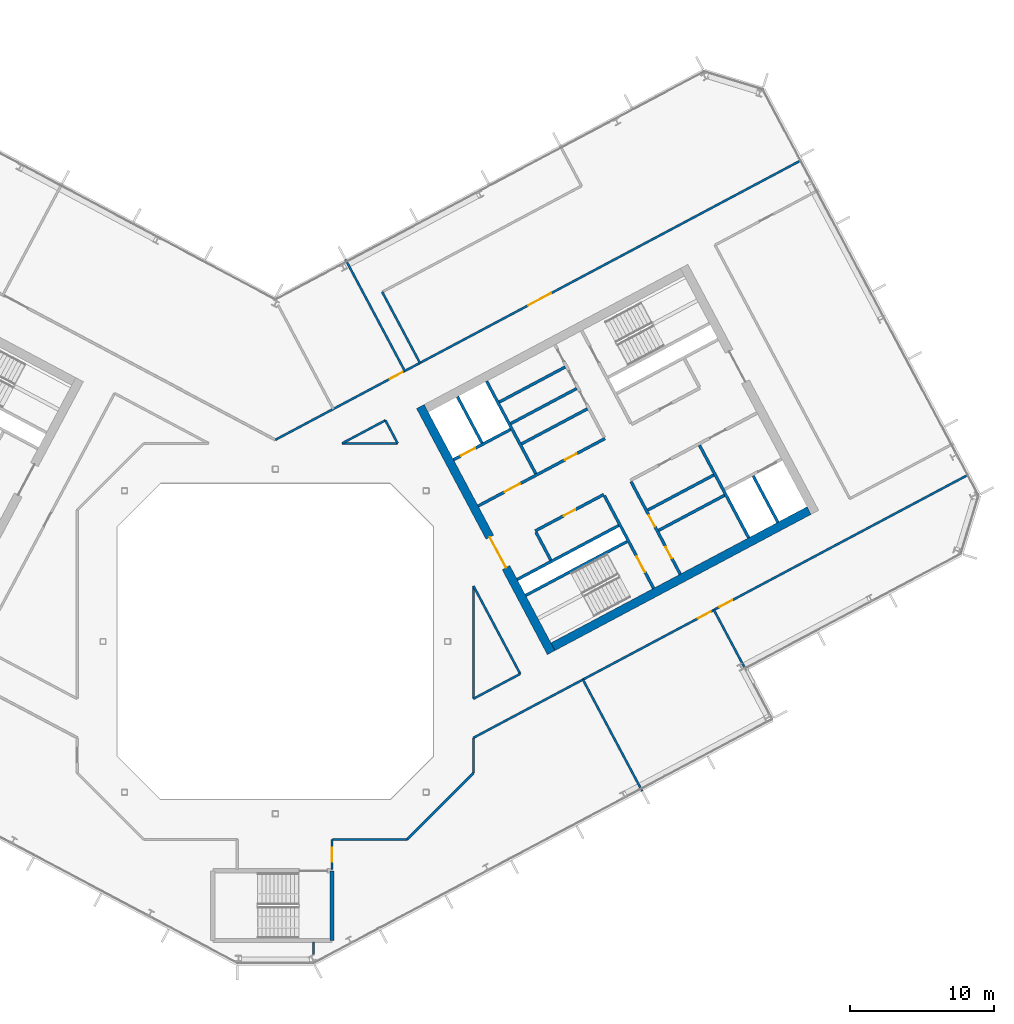
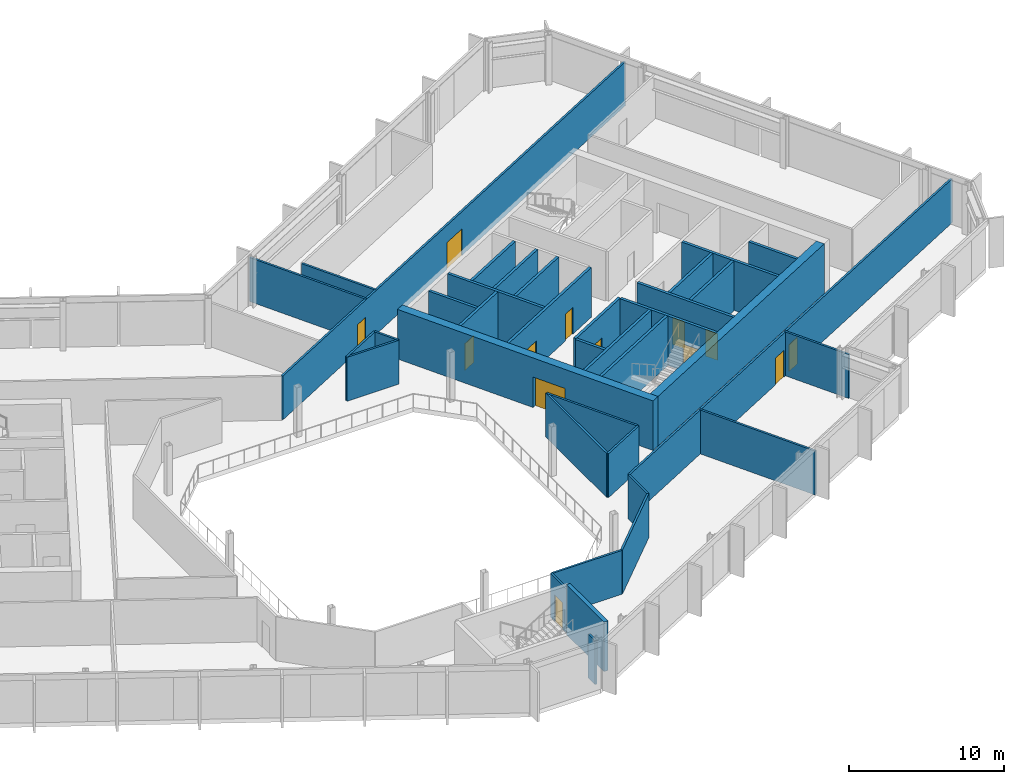
# One storey, part 15 of 26: 37 walls, 13 doors, 13 openings.
"""IFC4 building model written with IfcOpenShell, lengths in metres."""

from ifc_helpers import new_model, si_unit, direction, frame, frame_2d, origin, place, context, subcontext, project, spatial, rectangle, extrude, material, layer, layer_set, type_object, element, fill, save


model = new_model("IFC4")

# Units and contexts
model_context = context("Model", 3, precision=1e-05, world=origin(), true_north=direction((0.0, 1.0)))
body_context = subcontext(model_context, "Body", "Model", "MODEL_VIEW")
ifc_project = project(units=[si_unit("LENGTHUNIT", "METRE"), si_unit("AREAUNIT", "SQUARE_METRE"), si_unit("VOLUMEUNIT", "CUBIC_METRE"), si_unit("PLANEANGLEUNIT", "RADIAN"), si_unit("MASSUNIT", "GRAM", prefix="KILO")], contexts=[model_context])

# Site, building, storey
site_placement = place(None, origin())
site = spatial("IfcSite", under=ifc_project, at=site_placement, CompositionType="ELEMENT")
building_placement = place(site_placement, origin())
building = spatial("IfcBuilding", under=site, at=building_placement, Name="Cormorant Relay Tower", CompositionType="ELEMENT")
storey_placement = place(building_placement, frame((0.0, 0.0, 248.10009765625)))
storey = spatial("IfcBuildingStorey", under=building, at=storey_placement, Name="L55", CompositionType="ELEMENT", Elevation=248.10009765625)

# Walls
ifc_material_1 = material(Name="Concrete 40 MPa", Category="concrete")
ifc_layer_1 = layer(ifc_material_1, 0.199951171875)
ifc_layer_set_1 = layer_set([ifc_layer_1], Name="Core internal wall 200")
wall_type_1 = type_object("IfcWallType", Name="Core internal wall 200", PredefinedType="SOLIDWALL", material=ifc_layer_set_1)
for number, where, z_axis, x_axis, name in (
    (1, (26.692138671875, 7.73681640625, 0.0), (0.0, 0.0, 1.0), (0.882953967957, 0.469459572775, 0.0), "L55 core B shaft and room wall"),
    (2, (16.395751953125, 15.17333984375, 0.0), (0.0, 0.0, 1.0), (0.882934506056, 0.469496174655, 0.0), "L55 core B shaft and room wall"),
    (3, (15.59765625, 16.67431640625, 0.0), (0.0, 0.0, 1.0), (0.882934506056, 0.469496174655, 0.0), "L55 core B shaft and room wall"),
):
    element("IfcWall", number, at=place(storey_placement, frame(where, z_axis=z_axis, x_axis=x_axis)), inside=storey, type_object=wall_type_1, Name=name, PredefinedType="SOLIDWALL", context=body_context, shape_type="SweptSolid", body=[
        extrude(rectangle(XDim=5.199951171875, YDim=0.199951171875, at=frame_2d((2.60009765625, 0.0))), origin(), (0.0, 0.0, 1.0), 3.89990234375),
    ])
ifc_material_2 = material(Name="Concrete 50 MPa", Category="concrete")
ifc_layer_2 = layer(ifc_material_2, 0.199951171875)
ifc_layer_set_2 = layer_set([ifc_layer_2], Name="Core shaft wall 200")
wall_type_2 = type_object("IfcWallType", Name="Core shaft wall 200", PredefinedType="SHEAR", material=ifc_layer_set_2)
wall_1_placement = place(storey_placement, frame((14.39404296875, 13.825927734375, 0.0), z_axis=(0.0, 0.0, 1.0), x_axis=(-0.469494272526, 0.882935517501, 0.0)))
element("IfcWall", 4, at=wall_1_placement, inside=storey, type_object=wall_type_2, Name="L55 core B shaft wall", PredefinedType="SHEAR", context=body_context, shape_type="SweptSolid", body=[
    extrude(rectangle(XDim=3.64990234375, YDim=0.199951171875, at=frame_2d((1.824951171875, 0.0))), origin(), (0.0, 0.0, 1.0), 3.89990234375),
])
wall_2_placement = place(storey_placement, frame((19.18359375, 5.669921875, 0.0), z_axis=(0.0, 0.0, 1.0), x_axis=(-0.4694473164, 0.882960484464, 0.0)))
element("IfcWall", 5, at=wall_2_placement, inside=storey, type_object=wall_type_2, Name="L55 core B shaft wall", PredefinedType="SHEAR", context=body_context, shape_type="SweptSolid", body=[
    extrude(rectangle(XDim=2.199951171875, YDim=0.199951171875, at=frame_2d((1.10009765625, 0.0))), origin(), (0.0, 0.0, 1.0), 3.89990234375),
])
wall_3_placement = place(storey_placement, frame((18.138427734375, 11.682861328125, 0.0), z_axis=(0.0, 0.0, 1.0), x_axis=(-0.469480409012, 0.88294288918, 0.0)))
element("IfcWall", 6, at=wall_3_placement, inside=storey, type_object=wall_type_2, Name="L55 core B shaft wall", PredefinedType="SHEAR", context=body_context, shape_type="SweptSolid", body=[
    extrude(rectangle(XDim=7.300048828125, YDim=0.199951171875, at=frame_2d((3.64990234375, 0.0))), origin(), (0.0, 0.0, 1.0), 3.89990234375),
])

# Wall, opening, door
wall_4_placement = place(storey_placement, frame((26.345947265625, 3.701904296875, 0.0), z_axis=(0.0, 0.0, 1.0), x_axis=(-0.469480409012, 0.88294288918, 0.0)))
wall_4 = element("IfcWall", 7, at=wall_4_placement, inside=storey, type_object=wall_type_2, Name="L55 core B shaft wall", PredefinedType="SHEAR", context=body_context, shape_type="SweptSolid", body=[
    extrude(rectangle(XDim=7.300048828125, YDim=0.199951171875, at=frame_2d((3.64990234375, 0.0))), origin(), (0.0, 0.0, 1.0), 3.89990234375),
])
opening_1_placement = place(wall_4_placement, frame((1.300048828125, 0.0, 0.0)))
opening_1 = element("IfcOpeningElement", 8, at=opening_1_placement, cuts=wall_4, Name="Opening CDB-040", PredefinedType="OPENING", context=body_context, shape_type="SweptSolid", body=[
    extrude(rectangle(XDim=1.199951171875, YDim=2.10009765625, at=frame_2d((0.60009765625, 1.050048828125))), frame((0.0, 0.10986328125, 0.0), z_axis=(0.0, -1.0, 0.0), x_axis=(1.0, 0.0, 0.0)), (0.0, 0.0, 1.0), 0.219970703125),
])
ifc_material_3 = material(Name="Steel fire door", Category="steel")
door_type_1 = type_object("IfcDoorType", Name="Core stair door 1200x2100", OperationType="SINGLE_SWING_LEFT", PredefinedType="DOOR", material=ifc_material_3)
door_1_placement = place(opening_1_placement, origin())
door_1 = element("IfcDoor", 9, at=door_1_placement, inside=storey, type_object=door_type_1, Name="Core stair door 1200x2100", OperationType="SINGLE_SWING_RIGHT", OverallHeight=2.10009765625, OverallWidth=1.199951171875, PredefinedType="DOOR", context=body_context, shape_type="SweptSolid", body=[
    extrude(rectangle(XDim=1.199951171875, YDim=2.10009765625, at=frame_2d((0.60009765625, 1.050048828125))), frame((0.0, 0.02490234375, 0.0), z_axis=(0.0, -1.0, 0.0), x_axis=(1.0, 0.0, 0.0)), (0.0, 0.0, 1.0), 0.050048828125),
])
fill(opening_1, door_1)

# Wall, openings, doors
wall_5_placement = place(storey_placement, frame((28.199951171875, 4.687744140625, 0.0), z_axis=(0.0, 0.0, 1.0), x_axis=(-0.469454336211, 0.882956752176, 0.0)))
wall_5 = element("IfcWall", 10, at=wall_5_placement, inside=storey, type_object=wall_type_2, Name="L55 core B shaft wall", PredefinedType="SHEAR", context=body_context, shape_type="SweptSolid", body=[
    extrude(rectangle(XDim=7.300048828125, YDim=0.199951171875, at=frame_2d((3.64990234375, 0.0))), origin(), (0.0, 0.0, 1.0), 3.89990234375),
])
opening_2_placement = place(wall_5_placement, frame((1.25, 0.0, 0.0)))
opening_2 = element("IfcOpeningElement", 11, at=opening_2_placement, cuts=wall_5, Name="Opening CDD-277", PredefinedType="OPENING", context=body_context, shape_type="SweptSolid", body=[
    extrude(rectangle(XDim=0.89990234375, YDim=2.10009765625, at=frame_2d((0.449951171875, 1.050048828125))), frame((0.0, 0.10986328125, 0.0), z_axis=(0.0, -1.0, 0.0), x_axis=(1.0, 0.0, 0.0)), (0.0, 0.0, 1.0), 0.219970703125),
])
opening_3_placement = place(wall_5_placement, frame((3.75, 0.0, 0.0)))
opening_3 = element("IfcOpeningElement", 12, at=opening_3_placement, cuts=wall_5, Name="Opening CDD-253", PredefinedType="OPENING", context=body_context, shape_type="SweptSolid", body=[
    extrude(rectangle(XDim=0.89990234375, YDim=2.10009765625, at=frame_2d((0.449951171875, 1.050048828125))), frame((0.0, 0.10986328125, 0.0), z_axis=(0.0, -1.0, 0.0), x_axis=(1.0, 0.0, 0.0)), (0.0, 0.0, 1.0), 0.219970703125),
])
ifc_material_4 = material(Name="Steel fire door", Category="steel")
door_type_2 = type_object("IfcDoorType", Name="Core room door 900x2100", OperationType="SINGLE_SWING_LEFT", PredefinedType="DOOR", material=ifc_material_4)
door_2_placement = place(opening_2_placement, frame((0.89990234375, 0.0, 0.0), z_axis=(0.0, 0.0, 1.0), x_axis=(-1.0, 0.0, 0.0)))
door_2 = element("IfcDoor", 13, at=door_2_placement, inside=storey, type_object=door_type_2, Name="Core room door 900x2100", OperationType="SINGLE_SWING_LEFT", OverallHeight=2.10009765625, OverallWidth=0.89990234375, PredefinedType="DOOR", context=body_context, shape_type="SweptSolid", body=[
    extrude(rectangle(XDim=0.89990234375, YDim=2.10009765625, at=frame_2d((0.449951171875, 1.050048828125))), frame((0.0, 0.02490234375, 0.0), z_axis=(0.0, -1.0, 0.0), x_axis=(1.0, 0.0, 0.0)), (0.0, 0.0, 1.0), 0.050048828125),
])
fill(opening_2, door_2)
door_3_placement = place(opening_3_placement, frame((0.89990234375, 0.0, 0.0), z_axis=(0.0, 0.0, 1.0), x_axis=(-1.0, 0.0, 0.0)))
door_3 = element("IfcDoor", 14, at=door_3_placement, inside=storey, type_object=door_type_2, Name="Core room door 900x2100", OperationType="SINGLE_SWING_LEFT", OverallHeight=2.10009765625, OverallWidth=0.89990234375, PredefinedType="DOOR", context=body_context, shape_type="SweptSolid", body=[
    extrude(rectangle(XDim=0.89990234375, YDim=2.10009765625, at=frame_2d((0.449951171875, 1.050048828125))), frame((0.0, 0.02490234375, 0.0), z_axis=(0.0, -1.0, 0.0), x_axis=(1.0, 0.0, 0.0)), (0.0, 0.0, 1.0), 0.050048828125),
])
fill(opening_3, door_3)

# Walls
wall_6_placement = place(storey_placement, frame((32.968017578125, 7.222900390625, 0.0), z_axis=(0.0, 0.0, 1.0), x_axis=(-0.469480409012, 0.88294288918, 0.0)))
element("IfcWall", 15, at=wall_6_placement, inside=storey, type_object=wall_type_2, Name="L55 core B shaft wall", PredefinedType="SHEAR", context=body_context, shape_type="SweptSolid", body=[
    extrude(rectangle(XDim=7.300048828125, YDim=0.199951171875, at=frame_2d((3.64990234375, 0.0))), origin(), (0.0, 0.0, 1.0), 3.89990234375),
])
wall_7_placement = place(storey_placement, frame((34.998779296875, 8.302734375, 0.0), z_axis=(0.0, 0.0, 1.0), x_axis=(-0.4694665462, 0.882950260207, 0.0)))
element("IfcWall", 16, at=wall_7_placement, inside=storey, type_object=wall_type_2, Name="L55 core B shaft wall", PredefinedType="SHEAR", context=body_context, shape_type="SweptSolid", body=[
    extrude(rectangle(XDim=3.650146484375, YDim=0.199951171875, at=frame_2d((1.8251953125, 0.0))), origin(), (0.0, 0.0, 1.0), 3.89990234375),
])
for number, where, z_axis, x_axis, name in (
    (17, (17.43359375, 3.210205078125, 0.0), (0.0, 0.0, 1.0), (0.882940221191, 0.469485426614, 0.0), "L55 core B shaft wall"),
    (18, (16.8466796875, 4.31396484375, 0.0), (0.0, 0.0, 1.0), (0.882940221191, 0.469485426614, 0.0), "L55 core B shaft wall"),
):
    element("IfcWall", number, at=place(storey_placement, frame(where, z_axis=z_axis, x_axis=x_axis)), inside=storey, type_object=wall_type_2, Name=name, PredefinedType="SHEAR", context=body_context, shape_type="SweptSolid", body=[
        extrude(rectangle(XDim=8.0, YDim=0.199951171875, at=frame_2d((4.0, 0.0))), origin(), (0.0, 0.0, 1.0), 3.89990234375),
    ])
wall_8_placement = place(storey_placement, frame((25.94091796875, 9.149658203125, 0.0), z_axis=(0.0, 0.0, 1.0), x_axis=(0.882953967957, 0.469459572775, 0.0)))
element("IfcWall", 19, at=wall_8_placement, inside=storey, type_object=wall_type_2, Name="L55 core B shaft wall", PredefinedType="SHEAR", context=body_context, shape_type="SweptSolid", body=[
    extrude(rectangle(XDim=5.199951171875, YDim=0.199951171875, at=frame_2d((2.60009765625, 0.0))), origin(), (0.0, 0.0, 1.0), 3.89990234375),
])

# Wall, opening, door
wall_9_placement = place(storey_placement, frame((18.103759765625, 7.70068359375, 0.0), z_axis=(0.0, 0.0, 1.0), x_axis=(0.882952937579, 0.469461510692, 0.0)))
wall_9 = element("IfcWall", 20, at=wall_9_placement, inside=storey, type_object=wall_type_2, Name="L55 core B shaft wall", PredefinedType="SHEAR", context=body_context, shape_type="SweptSolid", body=[
    extrude(rectangle(XDim=5.400146484375, YDim=0.199951171875, at=frame_2d((2.7001953125, 0.0))), origin(), (0.0, 0.0, 1.0), 3.89990234375),
])
opening_4_placement = place(wall_9_placement, frame((2.25, 0.0, 0.0)))
opening_4 = element("IfcOpeningElement", 21, at=opening_4_placement, cuts=wall_9, Name="Opening CDD-262", PredefinedType="OPENING", context=body_context, shape_type="SweptSolid", body=[
    extrude(rectangle(XDim=0.89990234375, YDim=2.10009765625, at=frame_2d((0.449951171875, 1.050048828125))), frame((0.0, 0.10986328125, 0.0), z_axis=(0.0, -1.0, 0.0), x_axis=(1.0, 0.0, 0.0)), (0.0, 0.0, 1.0), 0.219970703125),
])
door_4_placement = place(opening_4_placement, frame((0.89990234375, 0.0, 0.0), z_axis=(0.0, 0.0, 1.0), x_axis=(-1.0, 0.0, 0.0)))
door_4 = element("IfcDoor", 22, at=door_4_placement, inside=storey, type_object=door_type_2, Name="Core room door 900x2100", OperationType="SINGLE_SWING_RIGHT", OverallHeight=2.10009765625, OverallWidth=0.89990234375, PredefinedType="DOOR", context=body_context, shape_type="SweptSolid", body=[
    extrude(rectangle(XDim=0.89990234375, YDim=2.10009765625, at=frame_2d((0.449951171875, 1.050048828125))), frame((0.0, 0.02490234375, 0.0), z_axis=(0.0, -1.0, 0.0), x_axis=(1.0, 0.0, 0.0)), (0.0, 0.0, 1.0), 0.050048828125),
])
fill(opening_4, door_4)

# Wall, openings, doors
wall_10_placement = place(storey_placement, frame((14.123779296875, 9.43505859375, 0.0), z_axis=(0.0, 0.0, 1.0), x_axis=(0.882940221191, 0.469485426614, 0.0)))
wall_10 = element("IfcWall", 23, at=wall_10_placement, inside=storey, type_object=wall_type_2, Name="L55 core B shaft wall", PredefinedType="SHEAR", context=body_context, shape_type="SweptSolid", body=[
    extrude(rectangle(XDim=10.0, YDim=0.199951171875, at=frame_2d((5.0, 0.0))), origin(), (0.0, 0.0, 1.0), 3.89990234375),
])
opening_5_placement = place(wall_10_placement, frame((2.10009765625, 0.0, 0.0)))
opening_5 = element("IfcOpeningElement", 24, at=opening_5_placement, cuts=wall_10, Name="Opening CDC-037", PredefinedType="OPENING", context=body_context, shape_type="SweptSolid", body=[
    extrude(rectangle(XDim=1.199951171875, YDim=2.10009765625, at=frame_2d((0.60009765625, 1.050048828125))), frame((0.0, 0.10986328125, 0.0), z_axis=(0.0, -1.0, 0.0), x_axis=(1.0, 0.0, 0.0)), (0.0, 0.0, 1.0), 0.219970703125),
])
opening_6_placement = place(wall_10_placement, frame((6.85009765625, 0.0, 0.0)))
opening_6 = element("IfcOpeningElement", 25, at=opening_6_placement, cuts=wall_10, Name="Opening CDD-260", PredefinedType="OPENING", context=body_context, shape_type="SweptSolid", body=[
    extrude(rectangle(XDim=0.89990234375, YDim=2.10009765625, at=frame_2d((0.449951171875, 1.050048828125))), frame((0.0, 0.10986328125, 0.0), z_axis=(0.0, -1.0, 0.0), x_axis=(1.0, 0.0, 0.0)), (0.0, 0.0, 1.0), 0.219970703125),
])
ifc_material_5 = material(Name="Steel fire door", Category="steel")
door_type_3 = type_object("IfcDoorType", Name="Core lobby door 1200x2100", OperationType="SINGLE_SWING_LEFT", PredefinedType="DOOR", material=ifc_material_5)
door_5_placement = place(opening_5_placement, origin())
door_5 = element("IfcDoor", 26, at=door_5_placement, inside=storey, type_object=door_type_3, Name="Core lobby door 1200x2100", OperationType="SINGLE_SWING_RIGHT", OverallHeight=2.10009765625, OverallWidth=1.199951171875, PredefinedType="DOOR", context=body_context, shape_type="SweptSolid", body=[
    extrude(rectangle(XDim=1.199951171875, YDim=2.10009765625, at=frame_2d((0.60009765625, 1.050048828125))), frame((0.0, 0.02490234375, 0.0), z_axis=(0.0, -1.0, 0.0), x_axis=(1.0, 0.0, 0.0)), (0.0, 0.0, 1.0), 0.050048828125),
])
fill(opening_5, door_5)
door_6_placement = place(opening_6_placement, origin())
door_6 = element("IfcDoor", 27, at=door_6_placement, inside=storey, type_object=door_type_2, Name="Core room door 900x2100", OperationType="SINGLE_SWING_LEFT", OverallHeight=2.10009765625, OverallWidth=0.89990234375, PredefinedType="DOOR", context=body_context, shape_type="SweptSolid", body=[
    extrude(rectangle(XDim=0.89990234375, YDim=2.10009765625, at=frame_2d((0.449951171875, 1.050048828125))), frame((0.0, 0.02490234375, 0.0), z_axis=(0.0, -1.0, 0.0), x_axis=(1.0, 0.0, 0.0)), (0.0, 0.0, 1.0), 0.050048828125),
])
fill(opening_6, door_6)

# Wall
wall_11_placement = place(storey_placement, frame((17.146728515625, 13.7607421875, 0.0), z_axis=(0.0, 0.0, 1.0), x_axis=(0.882964314875, 0.469440111896, 0.0)))
element("IfcWall", 28, at=wall_11_placement, inside=storey, type_object=wall_type_2, Name="L55 core B shaft wall", PredefinedType="SHEAR", context=body_context, shape_type="SweptSolid", body=[
    extrude(rectangle(XDim=5.2001953125, YDim=0.199951171875, at=frame_2d((2.60009765625, 0.0))), origin(), (0.0, 0.0, 1.0), 3.89990234375),
])

# Wall, opening, door
wall_12_placement = place(storey_placement, frame((12.41015625, 12.657958984375, 0.0), z_axis=(0.0, 0.0, 1.0), x_axis=(0.8829484765, 0.469469900894, 0.0)))
wall_12 = element("IfcWall", 29, at=wall_12_placement, inside=storey, type_object=wall_type_2, Name="L55 core B shaft wall", PredefinedType="SHEAR", context=body_context, shape_type="SweptSolid", body=[
    extrude(rectangle(XDim=4.499755859375, YDim=0.199951171875, at=frame_2d((2.25, 0.0))), origin(), (0.0, 0.0, 1.0), 3.89990234375),
])
opening_7_placement = place(wall_12_placement, frame((0.60009765625, 0.0, 0.0)))
opening_7 = element("IfcOpeningElement", 30, at=opening_7_placement, cuts=wall_12, Name="Opening LD1-064", PredefinedType="OPENING", context=body_context, shape_type="SweptSolid", body=[
    extrude(rectangle(XDim=1.10009765625, YDim=2.10009765625, at=frame_2d((0.550048828125, 1.050048828125))), frame((0.0, 0.10986328125, 0.0), z_axis=(0.0, -1.0, 0.0), x_axis=(1.0, 0.0, 0.0)), (0.0, 0.0, 1.0), 0.219970703125),
])
ifc_material_6 = material(Name="Stainless steel 316", Category="steel")
door_type_4 = type_object("IfcDoorType", Name="Lift landing door 1100x2100", OperationType="DOUBLE_DOOR_SLIDING", PredefinedType="DOOR", material=ifc_material_6)
door_7_placement = place(opening_7_placement, origin())
door_7 = element("IfcDoor", 31, at=door_7_placement, inside=storey, type_object=door_type_4, Name="FF2 landing door", OperationType="DOUBLE_DOOR_SLIDING", OverallHeight=2.10009765625, OverallWidth=1.10009765625, PredefinedType="DOOR", context=body_context, shape_type="SweptSolid", body=[
    extrude(rectangle(XDim=1.10009765625, YDim=2.10009765625, at=frame_2d((0.550048828125, 1.050048828125))), frame((0.0, 0.02490234375, 0.0), z_axis=(0.0, -1.0, 0.0), x_axis=(1.0, 0.0, 0.0)), (0.0, 0.0, 1.0), 0.050048828125),
])
fill(opening_7, door_7)

ifc_material_7 = material(Name="Concrete 50 MPa", Category="concrete")
ifc_layer_3 = layer(ifc_material_7, 0.60009765625)
ifc_layer_set_3 = layer_set([ifc_layer_3], Name="Core wall 600")
wall_type_3 = type_object("IfcWallType", Name="Core wall 600", PredefinedType="SHEAR", material=ifc_layer_set_3)
wall_13_placement = place(storey_placement, frame((19.210693359375, -0.771484375, 0.0), z_axis=(0.0, 0.0, 1.0), x_axis=(-0.469463742137, 0.882951751127, 0.0)))
wall_13 = element("IfcWall", 32, at=wall_13_placement, inside=storey, type_object=wall_type_3, Name="L55 core B wall", PredefinedType="SHEAR", context=body_context, shape_type="SweptSolid", body=[
    extrude(rectangle(XDim=19.400146484375, YDim=0.60009765625, at=frame_2d((9.7001953125, 0.0))), origin(), (0.0, 0.0, 1.0), 3.89990234375),
])
opening_8_placement = place(wall_13_placement, frame((6.699951171875, 0.0, 0.0)))
opening_8 = element("IfcOpeningElement", 33, at=opening_8_placement, cuts=wall_13, Name="Opening CDA-044", PredefinedType="OPENING", context=body_context, shape_type="SweptSolid", body=[
    extrude(rectangle(XDim=2.39990234375, YDim=2.39990234375, at=frame_2d((1.199951171875, 1.199951171875))), frame((0.0, 0.31005859375, 0.0), z_axis=(0.0, -1.0, 0.0), x_axis=(1.0, 0.0, 0.0)), (0.0, 0.0, 1.0), 0.6201171875),
])
ifc_material_8 = material(Name="Steel fire door", Category="steel")
door_type_5 = type_object("IfcDoorType", Name="Core lobby door 2400x2400", OperationType="DOUBLE_DOOR_SINGLE_SWING", PredefinedType="DOOR", material=ifc_material_8)
door_8_placement = place(opening_8_placement, origin())
door_8 = element("IfcDoor", 34, at=door_8_placement, inside=storey, type_object=door_type_5, Name="Core lobby door 2400x2400", OperationType="DOUBLE_DOOR_SINGLE_SWING", OverallHeight=2.39990234375, OverallWidth=2.39990234375, PredefinedType="DOOR", context=body_context, shape_type="SweptSolid", body=[
    extrude(rectangle(XDim=2.39990234375, YDim=2.39990234375, at=frame_2d((1.199951171875, 1.199951171875))), frame((0.0, 0.02490234375, 0.0), z_axis=(0.0, -1.0, 0.0), x_axis=(1.0, 0.0, 0.0)), (0.0, 0.0, 1.0), 0.050048828125),
])
fill(opening_8, door_8)

# Wall
wall_14_placement = place(storey_placement, frame((19.3349609375, -0.36572265625, 0.0), z_axis=(0.0, 0.0, 1.0), x_axis=(0.88294509198, 0.469476266226, 0.0)))
element("IfcWall", 35, at=wall_14_placement, inside=storey, type_object=wall_type_3, Name="L55 core B wall", PredefinedType="SHEAR", context=body_context, shape_type="SweptSolid", body=[
    extrude(rectangle(XDim=20.199951171875, YDim=0.60009765625, at=frame_2d((10.10009765625, 0.0))), origin(), (0.0, 0.0, 1.0), 3.89990234375),
])

# Wall, openings, doors
ifc_material_9 = material(Name="Gypsum board fire partition")
ifc_layer_4 = layer(ifc_material_9, 0.14990234375)
ifc_layer_set_4 = layer_set([ifc_layer_4], Name="Corridor partition 150 EI 60")
wall_type_4 = type_object("IfcWallType", Name="Corridor partition 150 EI 60", PredefinedType="PARTITIONING", material=ifc_layer_set_4)
wall_15_placement = place(storey_placement, frame((0.0, 14.0439453125, 0.0), z_axis=(0.0, 0.0, 1.0), x_axis=(0.882962129795, 0.469444221764, 0.0)))
wall_15 = element("IfcWall", 36, at=wall_15_placement, inside=storey, type_object=wall_type_4, Name="wall/L55/part/011", PredefinedType="PARTITIONING", context=body_context, shape_type="SweptSolid", body=[
    extrude(rectangle(XDim=41.606689453125, YDim=0.14990234375, at=frame_2d((20.80322265625, 0.0))), origin(), (0.0, 0.0, 1.0), 3.449951171875),
])
opening_9_placement = place(wall_15_placement, frame((19.949951171875, 0.0, 0.0)))
opening_9 = element("IfcOpeningElement", 37, at=opening_9_placement, cuts=wall_15, Name="Opening DD-032", PredefinedType="OPENING", context=body_context, shape_type="SweptSolid", body=[
    extrude(rectangle(XDim=1.800048828125, YDim=2.10009765625, at=frame_2d((0.89990234375, 1.050048828125))), frame((0.0, 0.0849609375, 0.0), z_axis=(0.0, -1.0, 0.0), x_axis=(1.0, 0.0, 0.0)), (0.0, 0.0, 1.0), 0.169921875),
])
opening_10_placement = place(wall_15_placement, frame((9.050048828125, 0.0, 0.0)))
opening_10 = element("IfcOpeningElement", 38, at=opening_10_placement, cuts=wall_15, Name="Opening DS-182", PredefinedType="OPENING", context=body_context, shape_type="SweptSolid", body=[
    extrude(rectangle(XDim=1.0, YDim=2.10009765625, at=frame_2d((0.5, 1.050048828125))), frame((0.0, 0.0849609375, 0.0), z_axis=(0.0, -1.0, 0.0), x_axis=(1.0, 0.0, 0.0)), (0.0, 0.0, 1.0), 0.169921875),
])
ifc_material_10 = material(Name="Timber door leaf", Category="wood")
door_type_6 = type_object("IfcDoorType", Name="Suite door 1000x2100", OperationType="SINGLE_SWING_LEFT", PredefinedType="DOOR", material=ifc_material_10)
door_9_placement = place(opening_10_placement, origin())
door_9 = element("IfcDoor", 39, at=door_9_placement, inside=storey, type_object=door_type_6, Name="door/L55/012", OperationType="SINGLE_SWING_RIGHT", OverallHeight=2.10009765625, OverallWidth=1.0, PredefinedType="DOOR", context=body_context, shape_type="SweptSolid", body=[
    extrude(rectangle(XDim=1.0, YDim=2.10009765625, at=frame_2d((0.5, 1.050048828125))), frame((0.0, 0.02490234375, 0.0), z_axis=(0.0, -1.0, 0.0), x_axis=(1.0, 0.0, 0.0)), (0.0, 0.0, 1.0), 0.050048828125),
])
fill(opening_10, door_9)
ifc_material_11 = material(Name="Timber door leaf", Category="wood")
door_type_7 = type_object("IfcDoorType", Name="Suite double door 1800x2100", OperationType="DOUBLE_DOOR_SINGLE_SWING", PredefinedType="DOOR", material=ifc_material_11)
door_10_placement = place(opening_9_placement, origin())
door_10 = element("IfcDoor", 40, at=door_10_placement, inside=storey, type_object=door_type_7, Name="door/L55/011", OperationType="DOUBLE_DOOR_SINGLE_SWING", OverallHeight=2.10009765625, OverallWidth=1.800048828125, PredefinedType="DOOR", context=body_context, shape_type="SweptSolid", body=[
    extrude(rectangle(XDim=1.800048828125, YDim=2.10009765625, at=frame_2d((0.89990234375, 1.050048828125))), frame((0.0, 0.02490234375, 0.0), z_axis=(0.0, -1.0, 0.0), x_axis=(1.0, 0.0, 0.0)), (0.0, 0.0, 1.0), 0.050048828125),
])
fill(opening_9, door_10)

# Wall, opening, door
wall_16_placement = place(storey_placement, frame((3.949951171875, -13.800048828125, 0.0), z_axis=(0.0, 0.0, 1.0), x_axis=(0.0, -1.0, 0.0)))
wall_16 = element("IfcWall", 41, at=wall_16_placement, inside=storey, type_object=wall_type_4, Name="wall/L55/part/027", PredefinedType="PARTITIONING", context=body_context, shape_type="SweptSolid", body=[
    extrude(rectangle(XDim=2.074951171875, YDim=0.14990234375, at=frame_2d((1.03759765625, 0.0))), origin(), (0.0, 0.0, 1.0), 3.449951171875),
])
opening_11_placement = place(wall_16_placement, frame((0.550048828125, 0.0, 0.0)))
opening_11 = element("IfcOpeningElement", 42, at=opening_11_placement, cuts=wall_16, Name="Opening DS-173", PredefinedType="OPENING", context=body_context, shape_type="SweptSolid", body=[
    extrude(rectangle(XDim=1.0, YDim=2.10009765625, at=frame_2d((0.5, 1.050048828125))), frame((0.0, 0.0849609375, 0.0), z_axis=(0.0, -1.0, 0.0), x_axis=(1.0, 0.0, 0.0)), (0.0, 0.0, 1.0), 0.169921875),
])
door_11_placement = place(opening_11_placement, origin())
door_11 = element("IfcDoor", 43, at=door_11_placement, inside=storey, type_object=door_type_6, Name="door/L55/001", OperationType="SINGLE_SWING_LEFT", OverallHeight=2.10009765625, OverallWidth=1.0, PredefinedType="DOOR", context=body_context, shape_type="SweptSolid", body=[
    extrude(rectangle(XDim=1.0, YDim=2.10009765625, at=frame_2d((0.5, 1.050048828125))), frame((0.0, 0.02490234375, 0.0), z_axis=(0.0, -1.0, 0.0), x_axis=(1.0, 0.0, 0.0)), (0.0, 0.0, 1.0), 0.050048828125),
])
fill(opening_11, door_11)

# Walls
wall_17_placement = place(storey_placement, frame((13.800048828125, -6.722900390625, 0.0), z_axis=(0.0, 0.0, 1.0), x_axis=(0.0, -1.0, 0.0)))
element("IfcWall", 44, at=wall_17_placement, inside=storey, type_object=wall_type_4, Name="wall/L55/part/028", PredefinedType="PARTITIONING", context=body_context, shape_type="SweptSolid", body=[
    extrude(rectangle(XDim=2.43701171875, YDim=0.14990234375, at=frame_2d((1.218505859375, 0.0))), origin(), (0.0, 0.0, 1.0), 3.449951171875),
])
wall_18_placement = place(storey_placement, frame((13.800048828125, -9.159912109375, 0.0), z_axis=(0.0, 0.0, 1.0), x_axis=(-0.707106781187, -0.707106781187, 0.0)))
element("IfcWall", 45, at=wall_18_placement, inside=storey, type_object=wall_type_4, Name="wall/L55/part/029", PredefinedType="PARTITIONING", context=body_context, shape_type="SweptSolid", body=[
    extrude(rectangle(XDim=6.562255859375, YDim=0.14990234375, at=frame_2d((3.28125, 0.0))), origin(), (0.0, 0.0, 1.0), 3.449951171875),
])
wall_19_placement = place(storey_placement, frame((9.159912109375, -13.800048828125, 0.0), z_axis=(0.0, 0.0, 1.0), x_axis=(-1.0, 0.0, 0.0)))
element("IfcWall", 46, at=wall_19_placement, inside=storey, type_object=wall_type_4, Name="wall/L55/part/030", PredefinedType="PARTITIONING", context=body_context, shape_type="SweptSolid", body=[
    extrude(rectangle(XDim=5.1748046875, YDim=0.14990234375, at=frame_2d((2.58740234375, 0.0))), origin(), (0.0, 0.0, 1.0), 3.449951171875),
])

# Wall, openings, doors
wall_20_placement = place(storey_placement, frame((48.3798828125, 11.678955078125, 0.0), z_axis=(0.0, 0.0, 1.0), x_axis=(-0.882962559816, -0.469443412951, 0.0)))
wall_20 = element("IfcWall", 47, at=wall_20_placement, inside=storey, type_object=wall_type_4, Name="wall/L55/part/032", PredefinedType="PARTITIONING", context=body_context, shape_type="SweptSolid", body=[
    extrude(rectangle(XDim=39.163330078125, YDim=0.14990234375, at=frame_2d((19.58154296875, 0.0))), origin(), (0.0, 0.0, 1.0), 3.449951171875),
])
opening_12_placement = place(wall_20_placement, frame((20.449951171875, 0.0, 0.0)))
opening_12 = element("IfcOpeningElement", 48, at=opening_12_placement, cuts=wall_20, Name="Opening DS-174", PredefinedType="OPENING", context=body_context, shape_type="SweptSolid", body=[
    extrude(rectangle(XDim=1.0, YDim=2.10009765625, at=frame_2d((0.5, 1.050048828125))), frame((0.0, 0.0849609375, 0.0), z_axis=(0.0, -1.0, 0.0), x_axis=(1.0, 0.0, 0.0)), (0.0, 0.0, 1.0), 0.169921875),
])
opening_13_placement = place(wall_20_placement, frame((18.75, 0.0, 0.0)))
opening_13 = element("IfcOpeningElement", 49, at=opening_13_placement, cuts=wall_20, Name="Opening DS-175", PredefinedType="OPENING", context=body_context, shape_type="SweptSolid", body=[
    extrude(rectangle(XDim=1.0, YDim=2.10009765625, at=frame_2d((0.5, 1.050048828125))), frame((0.0, 0.0849609375, 0.0), z_axis=(0.0, -1.0, 0.0), x_axis=(1.0, 0.0, 0.0)), (0.0, 0.0, 1.0), 0.169921875),
])
door_12_placement = place(opening_12_placement, origin())
door_12 = element("IfcDoor", 50, at=door_12_placement, inside=storey, type_object=door_type_6, Name="door/L55/002", OperationType="SINGLE_SWING_LEFT", OverallHeight=2.10009765625, OverallWidth=1.0, PredefinedType="DOOR", context=body_context, shape_type="SweptSolid", body=[
    extrude(rectangle(XDim=1.0, YDim=2.10009765625, at=frame_2d((0.5, 1.050048828125))), frame((0.0, 0.02490234375, 0.0), z_axis=(0.0, -1.0, 0.0), x_axis=(1.0, 0.0, 0.0)), (0.0, 0.0, 1.0), 0.050048828125),
])
fill(opening_12, door_12)
door_13_placement = place(opening_13_placement, origin())
door_13 = element("IfcDoor", 51, at=door_13_placement, inside=storey, type_object=door_type_6, Name="door/L55/003", OperationType="SINGLE_SWING_RIGHT", OverallHeight=2.10009765625, OverallWidth=1.0, PredefinedType="DOOR", context=body_context, shape_type="SweptSolid", body=[
    extrude(rectangle(XDim=1.0, YDim=2.10009765625, at=frame_2d((0.5, 1.050048828125))), frame((0.0, 0.02490234375, 0.0), z_axis=(0.0, -1.0, 0.0), x_axis=(1.0, 0.0, 0.0)), (0.0, 0.0, 1.0), 0.050048828125),
])
fill(opening_13, door_13)

# Walls
wall_21_placement = place(storey_placement, frame((4.653076171875, 13.800048828125, 0.0), z_axis=(0.0, 0.0, 1.0), x_axis=(1.0, 0.0, 0.0)))
element("IfcWall", 52, at=wall_21_placement, inside=storey, type_object=wall_type_4, Name="wall/L55/part/046", PredefinedType="PARTITIONING", context=body_context, shape_type="SweptSolid", body=[
    extrude(rectangle(XDim=3.864990234375, YDim=0.14990234375, at=frame_2d((1.9326171875, 0.0))), origin(), (0.0, 0.0, 1.0), 3.449951171875),
])
wall_22_placement = place(storey_placement, frame((8.51806640625, 13.800048828125, 0.0), z_axis=(0.0, 0.0, 1.0), x_axis=(-0.469148666032, 0.883119204389, 0.0)))
element("IfcWall", 53, at=wall_22_placement, inside=storey, type_object=wall_type_4, Name="wall/L55/part/047", PredefinedType="PARTITIONING", context=body_context, shape_type="SweptSolid", body=[
    extrude(rectangle(XDim=1.81396484375, YDim=0.14990234375, at=frame_2d((0.906982421875, 0.0))), origin(), (0.0, 0.0, 1.0), 3.449951171875),
])
wall_23_placement = place(storey_placement, frame((7.6669921875, 15.402099609375, 0.0), z_axis=(0.0, 0.0, 1.0), x_axis=(-0.883005489543, -0.469362658759, 0.0)))
element("IfcWall", 54, at=wall_23_placement, inside=storey, type_object=wall_type_4, Name="wall/L55/part/048", PredefinedType="PARTITIONING", context=body_context, shape_type="SweptSolid", body=[
    extrude(rectangle(XDim=3.413330078125, YDim=0.14990234375, at=frame_2d((1.70654296875, 0.0))), origin(), (0.0, 0.0, 1.0), 3.449951171875),
])
wall_24_placement = place(storey_placement, frame((17.055908203125, -2.257080078125, 0.0), z_axis=(0.0, 0.0, 1.0), x_axis=(-0.469433160251, 0.882968010778, 0.0)))
element("IfcWall", 55, at=wall_24_placement, inside=storey, type_object=wall_type_4, Name="wall/L55/part/049", PredefinedType="PARTITIONING", context=body_context, shape_type="SweptSolid", body=[
    extrude(rectangle(XDim=6.935791015625, YDim=0.14990234375, at=frame_2d((3.4677734375, 0.0))), origin(), (0.0, 0.0, 1.0), 3.449951171875),
])
wall_25_placement = place(storey_placement, frame((13.800048828125, 3.866943359375, 0.0), z_axis=(0.0, 0.0, 1.0), x_axis=(0.0, -1.0, 0.0)))
element("IfcWall", 56, at=wall_25_placement, inside=storey, type_object=wall_type_4, Name="wall/L55/part/050", PredefinedType="PARTITIONING", context=body_context, shape_type="SweptSolid", body=[
    extrude(rectangle(XDim=7.85498046875, YDim=0.14990234375, at=frame_2d((3.927490234375, 0.0))), origin(), (0.0, 0.0, 1.0), 3.449951171875),
])
wall_26_placement = place(storey_placement, frame((13.800048828125, -3.988037109375, 0.0), z_axis=(0.0, 0.0, 1.0), x_axis=(0.882971660552, 0.469426295239, 0.0)))
element("IfcWall", 57, at=wall_26_placement, inside=storey, type_object=wall_type_4, Name="wall/L55/part/051", PredefinedType="PARTITIONING", context=body_context, shape_type="SweptSolid", body=[
    extrude(rectangle(XDim=3.6875, YDim=0.14990234375, at=frame_2d((1.84375, 0.0))), origin(), (0.0, 0.0, 1.0), 3.449951171875),
])
ifc_material_12 = material(Name="Concrete 50 MPa", Category="concrete")
ifc_layer_5 = layer(ifc_material_12, 0.300048828125)
ifc_layer_set_5 = layer_set([ifc_layer_5], Name="Remote stair wall 300")
wall_type_5 = type_object("IfcWallType", Name="Remote stair wall 300", PredefinedType="SHEAR", material=ifc_layer_set_5)
wall_27_placement = place(storey_placement, frame((3.949951171875, -15.97509765625, 0.0), z_axis=(0.0, 0.0, 1.0), x_axis=(0.0, -1.0, 0.0)))
element("IfcWall", 58, at=wall_27_placement, inside=storey, type_object=wall_type_5, Name="L55 exit stair RK1 wall", PredefinedType="SHEAR", context=body_context, shape_type="SweptSolid", body=[
    extrude(rectangle(XDim=4.849853515625, YDim=0.300048828125, at=frame_2d((2.4248046875, 0.0))), origin(), (0.0, 0.0, 1.0), 3.89990234375),
])
ifc_material_13 = material(Name="Gypsum board partition")
ifc_layer_6 = layer(ifc_material_13, 0.14990234375)
ifc_layer_set_6 = layer_set([ifc_layer_6], Name="Tenant partition 150")
wall_type_6 = type_object("IfcWallType", Name="Tenant partition 150", PredefinedType="PARTITIONING", material=ifc_layer_set_6)
wall_28_placement = place(storey_placement, frame((4.885009765625, 26.60791015625, 0.0), z_axis=(0.0, 0.0, 1.0), x_axis=(0.469445946219, -0.882961212952, 0.0)))
element("IfcWall", 59, at=wall_28_placement, inside=storey, type_object=wall_type_6, Name="wall/L55/part/025", PredefinedType="PARTITIONING", context=body_context, shape_type="SweptSolid", body=[
    extrude(rectangle(XDim=8.800048828125, YDim=0.14990234375, at=frame_2d((4.39990234375, 0.0))), origin(), (0.0, 0.0, 1.0), 3.449951171875),
])
wall_29_placement = place(storey_placement, frame((2.64892578125, -21.799072265625, 0.0), z_axis=(0.0, 0.0, 1.0), x_axis=(0.0, 1.0, 0.0)))
element("IfcWall", 60, at=wall_29_placement, inside=storey, type_object=wall_type_6, Name="wall/L55/part/026", PredefinedType="PARTITIONING", context=body_context, shape_type="SweptSolid", body=[
    extrude(rectangle(XDim=0.8740234375, YDim=0.14990234375, at=frame_2d((0.43701171875, 0.0))), origin(), (0.0, 0.0, 1.0), 3.449951171875),
])
wall_30_placement = place(storey_placement, frame((21.4208984375, -2.654052734375, 0.0), z_axis=(0.0, 0.0, 1.0), x_axis=(0.469445946219, -0.882961212952, 0.0)))
element("IfcWall", 61, at=wall_30_placement, inside=storey, type_object=wall_type_6, Name="wall/L55/part/031", PredefinedType="PARTITIONING", context=body_context, shape_type="SweptSolid", body=[
    extrude(rectangle(XDim=8.800048828125, YDim=0.14990234375, at=frame_2d((4.39990234375, 0.0))), origin(), (0.0, 0.0, 1.0), 3.449951171875),
])
wall_31_placement = place(storey_placement, frame((10.072021484375, 19.39892578125, 0.0), z_axis=(0.0, 0.0, 1.0), x_axis=(-0.469483537511, 0.882941225681, 0.0)))
element("IfcWall", 62, at=wall_31_placement, inside=storey, type_object=wall_type_6, Name="wall/L55/part/033", PredefinedType="PARTITIONING", context=body_context, shape_type="SweptSolid", body=[
    extrude(rectangle(XDim=5.599609375, YDim=0.14990234375, at=frame_2d((2.7998046875, 0.0))), origin(), (0.0, 0.0, 1.0), 3.449951171875),
])
wall_32_placement = place(storey_placement, frame((30.5439453125, 2.197021484375, 0.0), z_axis=(0.0, 0.0, 1.0), x_axis=(0.469518415739, -0.882922679107, 0.0)))
element("IfcWall", 63, at=wall_32_placement, inside=storey, type_object=wall_type_6, Name="wall/L55/part/036", PredefinedType="PARTITIONING", context=body_context, shape_type="SweptSolid", body=[
    extrude(rectangle(XDim=4.881591796875, YDim=0.14990234375, at=frame_2d((2.44091796875, 0.0))), origin(), (0.0, 0.0, 1.0), 3.449951171875),
])

save(model, "model.ifc")
